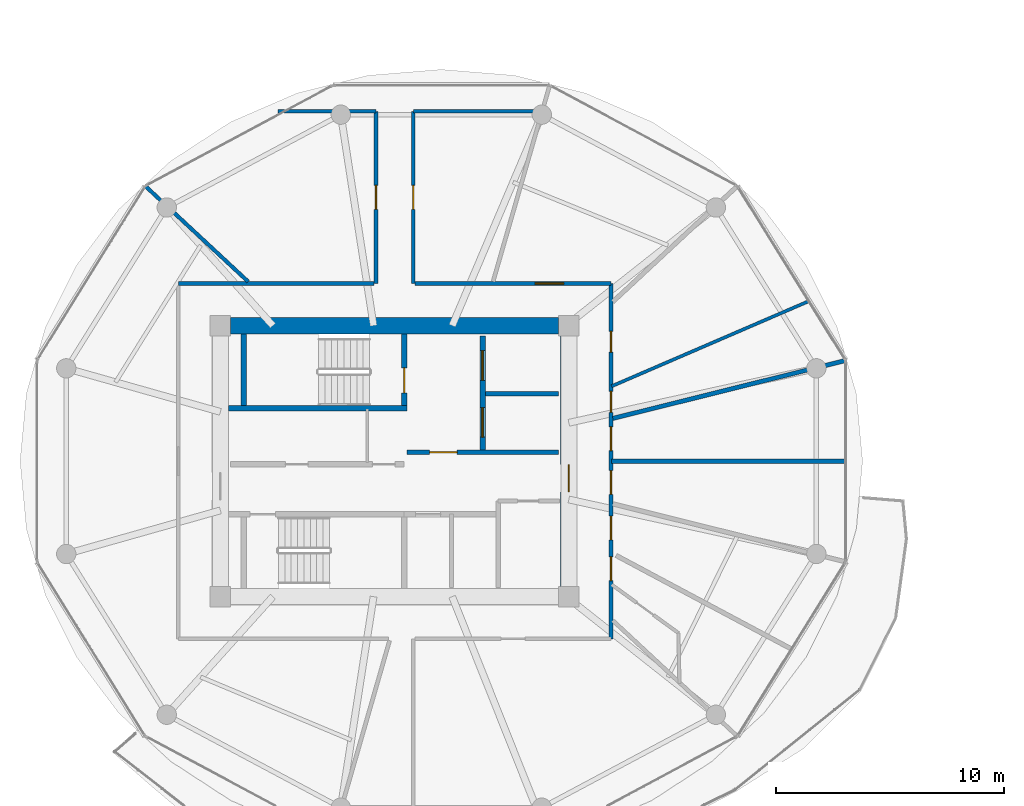
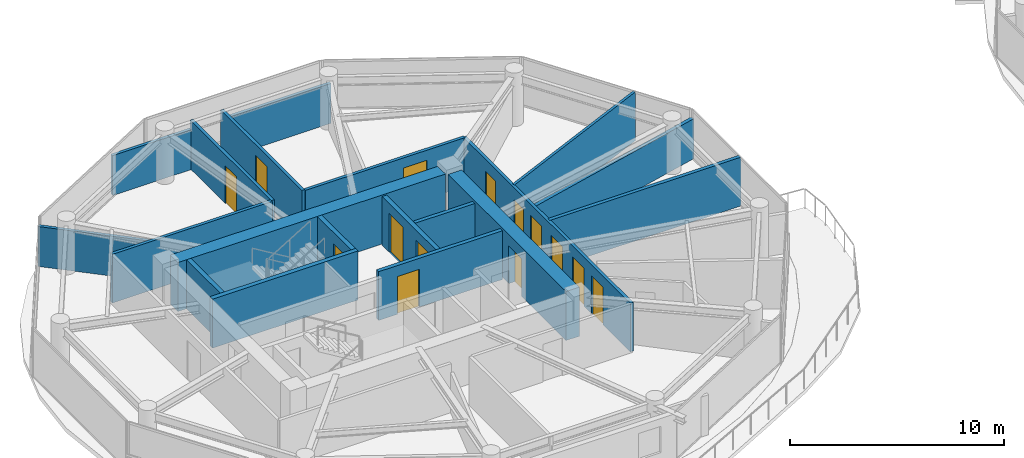
# One storey, part 14 of 24: 19 walls, 14 doors, 14 openings.
"""IFC4 building model written with IfcOpenShell, lengths in metres."""

from ifc_helpers import new_model, si_unit, direction, frame, frame_2d, origin, place, context, subcontext, project, spatial, rectangle, extrude, source, transform, mapped, material, layer, layer_set, type_object, type_shapes, element, fill, save


model = new_model("IFC4")

# Units and contexts
model_context = context("Model", 3, precision=1e-05, world=origin(), true_north=direction((0.0, 1.0)))
body_context = subcontext(model_context, "Body", "Model", "MODEL_VIEW")
ifc_project = project(units=[si_unit("LENGTHUNIT", "METRE"), si_unit("AREAUNIT", "SQUARE_METRE"), si_unit("VOLUMEUNIT", "CUBIC_METRE"), si_unit("PLANEANGLEUNIT", "RADIAN"), si_unit("MASSUNIT", "GRAM", prefix="KILO")], contexts=[model_context])

# Site, building, storey
site_placement = place(None, origin())
site = spatial("IfcSite", under=ifc_project, at=site_placement, CompositionType="ELEMENT")
building_placement = place(site_placement, origin())
building = spatial("IfcBuilding", under=site, at=building_placement, Name="Norrkilde Senior Care Towers", CompositionType="ELEMENT")
storey_placement = place(building_placement, frame((0.0, 0.0, 117.60009765625)))
storey = spatial("IfcBuildingStorey", under=building, at=storey_placement, Name="L36", CompositionType="ELEMENT", Elevation=117.60009765625)

# Wall
ifc_material_1 = material(Name="Concrete C60/75", Category="concrete")
ifc_layer_1 = layer(ifc_material_1, 0.719970703125)
ifc_layer_set_1 = layer_set([ifc_layer_1], Name="Concrete C60/75")
wall_type_1 = type_object("IfcWallType", Name="Core Shear Wall Z2 720", PredefinedType="SHEAR", material=ifc_layer_set_1)
shared_shape_1 = source(origin(), body_context, "Body", "SweptSolid", [
    extrude(rectangle(XDim=14.39990234375, YDim=0.719970703125, at=frame_2d((7.199951171875, 0.0))), origin(), (0.0, 0.0, 1.0), 2.789794921875),
])
wall_1_placement = place(storey_placement, frame((-35.199951171875, 5.949951171875, 0.0), z_axis=(0.0, 0.0, 1.0), x_axis=(1.0, 0.0, 0.0)))
element("IfcWall", 1, at=wall_1_placement, inside=storey, type_object=wall_type_1, Name="L36 Core W North Shear Wall", PredefinedType="SHEAR", context=body_context, shape_type="MappedRepresentation", body=[
    mapped(shared_shape_1, transform((0.0, 0.0, 0.0), x_axis=(1.0, 0.0, 0.0), y_axis=(0.0, 1.0, 0.0), z_axis=(0.0, 0.0, 1.0), scale=1.0)),
])

# Wall, opening, door
shared_shape_2 = source(origin(), body_context, "Body", "SweptSolid", [
    extrude(rectangle(XDim=11.0, YDim=0.719970703125, at=frame_2d((5.5, 0.0))), origin(), (0.0, 0.0, 1.0), 2.789794921875),
])
type_shapes(wall_type_1, [shared_shape_1, shared_shape_2])
wall_2_placement = place(storey_placement, frame((-20.35009765625, 5.5, 0.0), z_axis=(0.0, 0.0, 1.0), x_axis=(0.0, -1.0, 0.0)))
wall_2 = element("IfcWall", 2, at=wall_2_placement, inside=storey, type_object=wall_type_1, Name="L36 Core W East Shear Wall", PredefinedType="SHEAR", context=body_context, shape_type="MappedRepresentation", body=[
    mapped(shared_shape_2, transform((0.0, 0.0, 0.0), x_axis=(1.0, 0.0, 0.0), y_axis=(0.0, 1.0, 0.0), z_axis=(0.0, 0.0, 1.0), scale=1.0)),
])
opening_1_placement = place(wall_2_placement, frame((5.64990234375, 0.0, 0.0)))
opening_1 = element("IfcOpeningElement", 3, at=opening_1_placement, cuts=wall_2, Name="Opening D-04", PredefinedType="OPENING", context=body_context, shape_type="SweptSolid", body=[
    extrude(rectangle(XDim=1.199951171875, YDim=2.14990234375, at=frame_2d((0.60009765625, 1.074951171875))), frame((0.0, 0.369873046875, 0.0), z_axis=(0.0, -1.0, 0.0), x_axis=(1.0, 0.0, 0.0)), (0.0, 0.0, 1.0), 0.739990234375),
])
ifc_material_2 = material(Name="Galvanised Painted Steel", Category="steel")
door_type_1 = type_object("IfcDoorType", Name="Firefighting Lobby Fire Door 1200x2150", OperationType="NOTDEFINED", PredefinedType="DOOR", material=ifc_material_2)
shared_shape_3 = source(origin(), body_context, "Body", "SweptSolid", [
    extrude(rectangle(XDim=1.199951171875, YDim=2.14990234375, at=frame_2d((0.60009765625, 1.074951171875))), frame((0.0, 0.02490234375, 0.0), z_axis=(0.0, -1.0, 0.0), x_axis=(1.0, 0.0, 0.0)), (0.0, 0.0, 1.0), 0.050048828125),
])
type_shapes(door_type_1, [shared_shape_3])
door_1_placement = place(opening_1_placement, frame((1.199951171875, 0.0, 0.0), z_axis=(0.0, 0.0, 1.0), x_axis=(-1.0, 0.0, 0.0)))
door_1 = element("IfcDoor", 4, at=door_1_placement, inside=storey, type_object=door_type_1, Name="L36 Core W East Portal Door", OperationType="SINGLE_SWING_RIGHT", OverallHeight=2.14990234375, OverallWidth=1.199951171875, PredefinedType="DOOR", context=body_context, shape_type="MappedRepresentation", body=[
    mapped(shared_shape_3, transform((0.0, 0.0, 0.0), x_axis=(1.0, 0.0, 0.0), y_axis=(0.0, 1.0, 0.0), z_axis=(0.0, 0.0, 1.0), scale=1.0)),
])
fill(opening_1, door_1)

# Wall, openings, doors
ifc_material_3 = material(Name="Concrete C45/55", Category="concrete")
ifc_layer_2 = layer(ifc_material_3, 0.239990234375)
ifc_layer_set_2 = layer_set([ifc_layer_2], Name="Concrete C45/55")
wall_type_2 = type_object("IfcWallType", Name="Lift and Plant Rated Enclosure Partition 240", PredefinedType="PARTITIONING", material=ifc_layer_set_2)
shared_shape_4 = source(origin(), body_context, "Body", "SweptSolid", [
    extrude(rectangle(XDim=5.0, YDim=0.239990234375, at=frame_2d((2.5, 0.0))), origin(), (0.0, 0.0, 1.0), 2.77490234375),
])
type_shapes(wall_type_2, [shared_shape_4])
wall_3_placement = place(storey_placement, frame((-24.139892578125, 0.5, 0.0), z_axis=(0.0, 0.0, 1.0), x_axis=(0.0, 1.0, 0.0)))
wall_3 = element("IfcWall", 5, at=wall_3_placement, inside=storey, type_object=wall_type_2, Name="WL-INT-L36-W-FFLE", PredefinedType="PARTITIONING", context=body_context, shape_type="MappedRepresentation", body=[
    mapped(shared_shape_4, transform((0.0, 0.0, 0.0), x_axis=(1.0, 0.0, 0.0), y_axis=(0.0, 1.0, 0.0), z_axis=(0.0, 0.0, 1.0), scale=1.0)),
])
opening_2_placement = place(wall_3_placement, frame((3.050048828125, 0.0, 0.0)))
opening_2 = element("IfcOpeningElement", 6, at=opening_2_placement, cuts=wall_3, Name="Opening LD-02", PredefinedType="OPENING", context=body_context, shape_type="SweptSolid", body=[
    extrude(rectangle(XDim=1.300048828125, YDim=2.199951171875, at=frame_2d((0.64990234375, 1.10009765625))), frame((0.0, 0.1298828125, 0.0), z_axis=(0.0, -1.0, 0.0), x_axis=(1.0, 0.0, 0.0)), (0.0, 0.0, 1.0), 0.260009765625),
])
opening_3_placement = place(wall_3_placement, frame((0.550048828125, 0.0, 0.0)))
opening_3 = element("IfcOpeningElement", 7, at=opening_3_placement, cuts=wall_3, Name="Opening LD-02", PredefinedType="OPENING", context=body_context, shape_type="SweptSolid", body=[
    extrude(rectangle(XDim=1.300048828125, YDim=2.199951171875, at=frame_2d((0.64990234375, 1.10009765625))), frame((0.0, 0.1298828125, 0.0), z_axis=(0.0, -1.0, 0.0), x_axis=(1.0, 0.0, 0.0)), (0.0, 0.0, 1.0), 0.260009765625),
])
ifc_material_4 = material(Name="Stainless Steel", Category="steel")
door_type_2 = type_object("IfcDoorType", Name="Stretcher and FFL Landing Sliding Door 1300x2200", OperationType="NOTDEFINED", PredefinedType="DOOR", material=ifc_material_4)
shared_shape_5 = source(origin(), body_context, "Body", "SweptSolid", [
    extrude(rectangle(XDim=1.300048828125, YDim=2.199951171875, at=frame_2d((0.64990234375, 1.10009765625))), frame((0.0, 0.02490234375, 0.0), z_axis=(0.0, -1.0, 0.0), x_axis=(1.0, 0.0, 0.0)), (0.0, 0.0, 1.0), 0.050048828125),
])
type_shapes(door_type_2, [shared_shape_5])
door_2_placement = place(opening_2_placement, origin())
door_2 = element("IfcDoor", 8, at=door_2_placement, inside=storey, type_object=door_type_2, Name="L36 Firefighting Lift W1 Landing Door", OperationType="SLIDING_TO_LEFT", OverallHeight=2.199951171875, OverallWidth=1.300048828125, PredefinedType="DOOR", context=body_context, shape_type="MappedRepresentation", body=[
    mapped(shared_shape_5, transform((0.0, 0.0, 0.0), x_axis=(1.0, 0.0, 0.0), y_axis=(0.0, 1.0, 0.0), z_axis=(0.0, 0.0, 1.0), scale=1.0)),
])
fill(opening_2, door_2)
door_3_placement = place(opening_3_placement, origin())
door_3 = element("IfcDoor", 9, at=door_3_placement, inside=storey, type_object=door_type_2, Name="L36 Stretcher Lift W1 Landing Door", OperationType="SLIDING_TO_RIGHT", OverallHeight=2.199951171875, OverallWidth=1.300048828125, PredefinedType="DOOR", context=body_context, shape_type="MappedRepresentation", body=[
    mapped(shared_shape_5, transform((0.0, 0.0, 0.0), x_axis=(1.0, 0.0, 0.0), y_axis=(0.0, 1.0, 0.0), z_axis=(0.0, 0.0, 1.0), scale=1.0)),
])
fill(opening_3, door_3)

# Wall
ifc_layer_3 = layer(ifc_material_3, 0.199951171875)
ifc_layer_set_3 = layer_set([ifc_layer_3], Name="Concrete C45/55")
wall_type_3 = type_object("IfcWallType", Name="Shaft Division and Plant Partition 200", PredefinedType="PARTITIONING", material=ifc_layer_set_3)
shared_shape_6 = source(origin(), body_context, "Body", "SweptSolid", [
    extrude(rectangle(XDim=3.199951171875, YDim=0.199951171875, at=frame_2d((1.60009765625, 0.0))), origin(), (0.0, 0.0, 1.0), 2.77490234375),
])
type_shapes(wall_type_3, [shared_shape_6])
wall_4_placement = place(storey_placement, frame((-24.0, 2.949951171875, 0.0), z_axis=(0.0, 0.0, 1.0), x_axis=(1.0, 0.0, 0.0)))
element("IfcWall", 10, at=wall_4_placement, inside=storey, type_object=wall_type_3, Name="WL-INT-L36-W-FFLDIV", PredefinedType="PARTITIONING", context=body_context, shape_type="MappedRepresentation", body=[
    mapped(shared_shape_6, transform((0.0, 0.0, 0.0), x_axis=(1.0, 0.0, 0.0), y_axis=(0.0, 1.0, 0.0), z_axis=(0.0, 0.0, 1.0), scale=1.0)),
])

# Wall, opening, door
ifc_layer_4 = layer(ifc_material_3, 0.2099609375)
ifc_layer_set_4 = layer_set([ifc_layer_4], Name="Concrete C45/55")
wall_type_4 = type_object("IfcWallType", Name="Firefighting Lobby Wall 210", PredefinedType="PARTITIONING", material=ifc_layer_set_4)
shared_shape_7 = source(origin(), body_context, "Body", "SweptSolid", [
    extrude(rectangle(XDim=6.659912109375, YDim=0.2099609375, at=frame_2d((3.330078125, 0.0))), origin(), (0.0, 0.0, 1.0), 2.77490234375),
])
type_shapes(wall_type_4, [shared_shape_7])
wall_5_placement = place(storey_placement, frame((-27.4599609375, 0.389892578125, 0.0), z_axis=(0.0, 0.0, 1.0), x_axis=(1.0, 0.0, 0.0)))
wall_5 = element("IfcWall", 11, at=wall_5_placement, inside=storey, type_object=wall_type_4, Name="WL-INT-L36-W-FFLS", PredefinedType="PARTITIONING", context=body_context, shape_type="MappedRepresentation", body=[
    mapped(shared_shape_7, transform((0.0, 0.0, 0.0), x_axis=(1.0, 0.0, 0.0), y_axis=(0.0, 1.0, 0.0), z_axis=(0.0, 0.0, 1.0), scale=1.0)),
])
opening_4_placement = place(wall_5_placement, frame((1.0, 0.0, 0.0)))
opening_4 = element("IfcOpeningElement", 12, at=opening_4_placement, cuts=wall_5, Name="Opening D-04", PredefinedType="OPENING", context=body_context, shape_type="SweptSolid", body=[
    extrude(rectangle(XDim=1.199951171875, YDim=2.14990234375, at=frame_2d((0.60009765625, 1.074951171875))), frame((0.0, 0.114990234375, 0.0), z_axis=(0.0, -1.0, 0.0), x_axis=(1.0, 0.0, 0.0)), (0.0, 0.0, 1.0), 0.22998046875),
])
door_4_placement = place(opening_4_placement, frame((1.199951171875, 0.0, 0.0), z_axis=(0.0, 0.0, 1.0), x_axis=(-1.0, 0.0, 0.0)))
door_4 = element("IfcDoor", 13, at=door_4_placement, inside=storey, type_object=door_type_1, Name="L36 Firefighting Lobby W Door", OperationType="SINGLE_SWING_LEFT", OverallHeight=2.14990234375, OverallWidth=1.199951171875, PredefinedType="DOOR", context=body_context, shape_type="MappedRepresentation", body=[
    mapped(shared_shape_3, transform((0.0, 0.0, 0.0), x_axis=(1.0, 0.0, 0.0), y_axis=(0.0, 1.0, 0.0), z_axis=(0.0, 0.0, 1.0), scale=1.0)),
])
fill(opening_4, door_4)

# Wall, openings, doors
ifc_material_5 = material(Name="Gypsum Acoustic Board")
ifc_layer_5 = layer(ifc_material_5, 0.1650390625)
ifc_layer_set_5 = layer_set([ifc_layer_5], Name="Gypsum Acoustic Board")
wall_type_5 = type_object("IfcWallType", Name="Corridor Rated Partition 165", PredefinedType="PARTITIONING", material=ifc_layer_set_5)
shared_shape_8 = source(origin(), body_context, "Body", "SweptSolid", [
    extrude(rectangle(XDim=15.60009765625, YDim=0.1650390625, at=frame_2d((7.800048828125, 0.0))), origin(), (0.0, 0.0, 1.0), 2.77490234375),
])
wall_6_placement = place(storey_placement, frame((-18.5, 7.800048828125, 0.0), z_axis=(0.0, 0.0, 1.0), x_axis=(0.0, -1.0, 0.0)))
wall_6 = element("IfcWall", 14, at=wall_6_placement, inside=storey, type_object=wall_type_5, Name="WL-INT-L36-W-CRW-E-0", PredefinedType="PARTITIONING", context=body_context, shape_type="MappedRepresentation", body=[
    mapped(shared_shape_8, transform((0.0, 0.0, 0.0), x_axis=(1.0, 0.0, 0.0), y_axis=(0.0, 1.0, 0.0), z_axis=(0.0, 0.0, 1.0), scale=1.0)),
])
opening_5_placement = place(wall_6_placement, frame((12.001953125, 0.0, 0.0)))
opening_5 = element("IfcOpeningElement", 15, at=opening_5_placement, cuts=wall_6, Name="Opening D-06", PredefinedType="OPENING", context=body_context, shape_type="SweptSolid", body=[
    extrude(rectangle(XDim=1.050048828125, YDim=2.14990234375, at=frame_2d((0.52490234375, 1.074951171875))), frame((0.0, 0.092529296875, 0.0), z_axis=(0.0, -1.0, 0.0), x_axis=(1.0, 0.0, 0.0)), (0.0, 0.0, 1.0), 0.18505859375),
])
opening_6_placement = place(wall_6_placement, frame((10.210693359375, 0.0, 0.0)))
opening_6 = element("IfcOpeningElement", 16, at=opening_6_placement, cuts=wall_6, Name="Opening D-06", PredefinedType="OPENING", context=body_context, shape_type="SweptSolid", body=[
    extrude(rectangle(XDim=1.050048828125, YDim=2.14990234375, at=frame_2d((0.52490234375, 1.074951171875))), frame((0.0, 0.092529296875, 0.0), z_axis=(0.0, -1.0, 0.0), x_axis=(1.0, 0.0, 0.0)), (0.0, 0.0, 1.0), 0.18505859375),
])
opening_7_placement = place(wall_6_placement, frame((8.21240234375, 0.0, 0.0)))
opening_7 = element("IfcOpeningElement", 17, at=opening_7_placement, cuts=wall_6, Name="Opening D-06", PredefinedType="OPENING", context=body_context, shape_type="SweptSolid", body=[
    extrude(rectangle(XDim=1.050048828125, YDim=2.14990234375, at=frame_2d((0.52490234375, 1.074951171875))), frame((0.0, 0.092529296875, 0.0), z_axis=(0.0, -1.0, 0.0), x_axis=(1.0, 0.0, 0.0)), (0.0, 0.0, 1.0), 0.18505859375),
])
opening_8_placement = place(wall_6_placement, frame((6.290771484375, 0.0, 0.0)))
opening_8 = element("IfcOpeningElement", 18, at=opening_8_placement, cuts=wall_6, Name="Opening D-06", PredefinedType="OPENING", context=body_context, shape_type="SweptSolid", body=[
    extrude(rectangle(XDim=1.050048828125, YDim=2.14990234375, at=frame_2d((0.52490234375, 1.074951171875))), frame((0.0, 0.092529296875, 0.0), z_axis=(0.0, -1.0, 0.0), x_axis=(1.0, 0.0, 0.0)), (0.0, 0.0, 1.0), 0.18505859375),
])
opening_9_placement = place(wall_6_placement, frame((4.739013671875, 0.0, 0.0)))
opening_9 = element("IfcOpeningElement", 19, at=opening_9_placement, cuts=wall_6, Name="Opening D-08", PredefinedType="OPENING", context=body_context, shape_type="SweptSolid", body=[
    extrude(rectangle(XDim=0.919921875, YDim=2.10009765625, at=frame_2d((0.4599609375, 1.050048828125))), frame((0.0, 0.092529296875, 0.0), z_axis=(0.0, -1.0, 0.0), x_axis=(1.0, 0.0, 0.0)), (0.0, 0.0, 1.0), 0.18505859375),
])
opening_10_placement = place(wall_6_placement, frame((2.096435546875, 0.0, 0.0)))
opening_10 = element("IfcOpeningElement", 20, at=opening_10_placement, cuts=wall_6, Name="Opening D-08", PredefinedType="OPENING", context=body_context, shape_type="SweptSolid", body=[
    extrude(rectangle(XDim=0.919921875, YDim=2.10009765625, at=frame_2d((0.4599609375, 1.050048828125))), frame((0.0, 0.092529296875, 0.0), z_axis=(0.0, -1.0, 0.0), x_axis=(1.0, 0.0, 0.0)), (0.0, 0.0, 1.0), 0.18505859375),
])
ifc_material_6 = material(Name="Nordic Ash Timber", Category="wood")
door_type_3 = type_object("IfcDoorType", Name="Accessible Wet Room Door 920x2100", OperationType="NOTDEFINED", PredefinedType="DOOR", material=ifc_material_6)
shared_shape_9 = source(origin(), body_context, "Body", "SweptSolid", [
    extrude(rectangle(XDim=0.919921875, YDim=2.10009765625, at=frame_2d((0.4599609375, 1.050048828125))), frame((0.0, 0.02490234375, 0.0), z_axis=(0.0, -1.0, 0.0), x_axis=(1.0, 0.0, 0.0)), (0.0, 0.0, 1.0), 0.050048828125),
])
type_shapes(door_type_3, [shared_shape_9])
door_5_placement = place(opening_9_placement, frame((0.919921875, 0.0, 0.0), z_axis=(0.0, 0.0, 1.0), x_axis=(-1.0, 0.0, 0.0)))
door_5 = element("IfcDoor", 21, at=door_5_placement, inside=storey, type_object=door_type_3, Name="L36 Accessible Restroom Door", OperationType="SINGLE_SWING_LEFT", OverallHeight=2.10009765625, OverallWidth=0.919921875, PredefinedType="DOOR", context=body_context, shape_type="MappedRepresentation", body=[
    mapped(shared_shape_9, transform((0.0, 0.0, 0.0), x_axis=(1.0, 0.0, 0.0), y_axis=(0.0, 1.0, 0.0), z_axis=(0.0, 0.0, 1.0), scale=1.0)),
])
fill(opening_9, door_5)
door_6_placement = place(opening_10_placement, frame((0.919921875, 0.0, 0.0), z_axis=(0.0, 0.0, 1.0), x_axis=(-1.0, 0.0, 0.0)))
door_6 = element("IfcDoor", 22, at=door_6_placement, inside=storey, type_object=door_type_3, Name="L36 Public Restroom Door", OperationType="SINGLE_SWING_RIGHT", OverallHeight=2.10009765625, OverallWidth=0.919921875, PredefinedType="DOOR", context=body_context, shape_type="MappedRepresentation", body=[
    mapped(shared_shape_9, transform((0.0, 0.0, 0.0), x_axis=(1.0, 0.0, 0.0), y_axis=(0.0, 1.0, 0.0), z_axis=(0.0, 0.0, 1.0), scale=1.0)),
])
fill(opening_10, door_6)
door_type_4 = type_object("IfcDoorType", Name="Apartment Entrance Fire Door 1050x2150", OperationType="NOTDEFINED", PredefinedType="DOOR", material=ifc_material_6)
shared_shape_10 = source(origin(), body_context, "Body", "SweptSolid", [
    extrude(rectangle(XDim=1.050048828125, YDim=2.14990234375, at=frame_2d((0.52490234375, 1.074951171875))), frame((0.0, 0.02490234375, 0.0), z_axis=(0.0, -1.0, 0.0), x_axis=(1.0, 0.0, 0.0)), (0.0, 0.0, 1.0), 0.050048828125),
])
type_shapes(door_type_4, [shared_shape_10])
door_7_placement = place(opening_5_placement, frame((1.050048828125, 0.0, 0.0), z_axis=(0.0, 0.0, 1.0), x_axis=(-1.0, 0.0, 0.0)))
door_7 = element("IfcDoor", 23, at=door_7_placement, inside=storey, type_object=door_type_4, Name="L36 Care Suite 3610A Entrance Door", OperationType="SINGLE_SWING_RIGHT", OverallHeight=2.14990234375, OverallWidth=1.050048828125, PredefinedType="DOOR", context=body_context, shape_type="MappedRepresentation", body=[
    mapped(shared_shape_10, transform((0.0, 0.0, 0.0), x_axis=(1.0, 0.0, 0.0), y_axis=(0.0, 1.0, 0.0), z_axis=(0.0, 0.0, 1.0), scale=1.0)),
])
fill(opening_5, door_7)
door_8_placement = place(opening_6_placement, frame((1.050048828125, 0.0, 0.0), z_axis=(0.0, 0.0, 1.0), x_axis=(-1.0, 0.0, 0.0)))
door_8 = element("IfcDoor", 24, at=door_8_placement, inside=storey, type_object=door_type_4, Name="L36 Therapy Day Lounge 10 Door", OperationType="SINGLE_SWING_RIGHT", OverallHeight=2.14990234375, OverallWidth=1.050048828125, PredefinedType="DOOR", context=body_context, shape_type="MappedRepresentation", body=[
    mapped(shared_shape_10, transform((0.0, 0.0, 0.0), x_axis=(1.0, 0.0, 0.0), y_axis=(0.0, 1.0, 0.0), z_axis=(0.0, 0.0, 1.0), scale=1.0)),
])
fill(opening_6, door_8)
door_9_placement = place(opening_7_placement, frame((1.050048828125, 0.0, 0.0), z_axis=(0.0, 0.0, 1.0), x_axis=(-1.0, 0.0, 0.0)))
door_9 = element("IfcDoor", 25, at=door_9_placement, inside=storey, type_object=door_type_4, Name="L36 Physiotherapy Clinic 11A Door", OperationType="SINGLE_SWING_RIGHT", OverallHeight=2.14990234375, OverallWidth=1.050048828125, PredefinedType="DOOR", context=body_context, shape_type="MappedRepresentation", body=[
    mapped(shared_shape_10, transform((0.0, 0.0, 0.0), x_axis=(1.0, 0.0, 0.0), y_axis=(0.0, 1.0, 0.0), z_axis=(0.0, 0.0, 1.0), scale=1.0)),
])
fill(opening_7, door_9)
door_10_placement = place(opening_8_placement, frame((1.050048828125, 0.0, 0.0), z_axis=(0.0, 0.0, 1.0), x_axis=(-1.0, 0.0, 0.0)))
door_10 = element("IfcDoor", 26, at=door_10_placement, inside=storey, type_object=door_type_4, Name="L36 Assessment Clinic 11B Door", OperationType="SINGLE_SWING_LEFT", OverallHeight=2.14990234375, OverallWidth=1.050048828125, PredefinedType="DOOR", context=body_context, shape_type="MappedRepresentation", body=[
    mapped(shared_shape_10, transform((0.0, 0.0, 0.0), x_axis=(1.0, 0.0, 0.0), y_axis=(0.0, 1.0, 0.0), z_axis=(0.0, 0.0, 1.0), scale=1.0)),
])
fill(opening_8, door_10)

# Wall
shared_shape_11 = source(origin(), body_context, "Body", "SweptSolid", [
    extrude(rectangle(XDim=8.60009765625, YDim=0.1650390625, at=frame_2d((4.300048828125, 0.0))), origin(), (0.0, 0.0, 1.0), 2.77490234375),
])
wall_7_placement = place(storey_placement, frame((-37.5, 7.800048828125, 0.0), z_axis=(0.0, 0.0, 1.0), x_axis=(1.0, 0.0, 0.0)))
element("IfcWall", 27, at=wall_7_placement, inside=storey, type_object=wall_type_5, Name="WL-INT-L36-W-CRW-N-0", PredefinedType="PARTITIONING", context=body_context, shape_type="MappedRepresentation", body=[
    mapped(shared_shape_11, transform((0.0, 0.0, 0.0), x_axis=(1.0, 0.0, 0.0), y_axis=(0.0, 1.0, 0.0), z_axis=(0.0, 0.0, 1.0), scale=1.0)),
])

# Wall, opening, door
wall_8_placement = place(storey_placement, frame((-27.10009765625, 7.800048828125, 0.0), z_axis=(0.0, 0.0, 1.0), x_axis=(1.0, 0.0, 0.0)))
wall_8 = element("IfcWall", 28, at=wall_8_placement, inside=storey, type_object=wall_type_5, Name="WL-INT-L36-W-CRW-N-1", PredefinedType="PARTITIONING", context=body_context, shape_type="MappedRepresentation", body=[
    mapped(shared_shape_11, transform((0.0, 0.0, 0.0), x_axis=(1.0, 0.0, 0.0), y_axis=(0.0, 1.0, 0.0), z_axis=(0.0, 0.0, 1.0), scale=1.0)),
])
opening_11_placement = place(wall_8_placement, frame((5.27490234375, 0.0, 0.0)))
opening_11 = element("IfcOpeningElement", 29, at=opening_11_placement, cuts=wall_8, Name="Opening D-05", PredefinedType="OPENING", context=body_context, shape_type="SweptSolid", body=[
    extrude(rectangle(XDim=1.25, YDim=2.199951171875, at=frame_2d((0.625, 1.10009765625))), frame((0.0, 0.092529296875, 0.0), z_axis=(0.0, -1.0, 0.0), x_axis=(1.0, 0.0, 0.0)), (0.0, 0.0, 1.0), 0.18505859375),
])
door_type_5 = type_object("IfcDoorType", Name="Care Bedroom Bariatric Door 1250x2200", OperationType="NOTDEFINED", PredefinedType="DOOR", material=ifc_material_6)
shared_shape_12 = source(origin(), body_context, "Body", "SweptSolid", [
    extrude(rectangle(XDim=1.25, YDim=2.199951171875, at=frame_2d((0.625, 1.10009765625))), frame((0.0, 0.02490234375, 0.0), z_axis=(0.0, -1.0, 0.0), x_axis=(1.0, 0.0, 0.0)), (0.0, 0.0, 1.0), 0.050048828125),
])
type_shapes(door_type_5, [shared_shape_12])
door_11_placement = place(opening_11_placement, frame((1.25, 0.0, 0.0), z_axis=(0.0, 0.0, 1.0), x_axis=(-1.0, 0.0, 0.0)))
door_11 = element("IfcDoor", 30, at=door_11_placement, inside=storey, type_object=door_type_5, Name="L36 Household Communal Dining Salon Door", OperationType="SINGLE_SWING_RIGHT", OverallHeight=2.199951171875, OverallWidth=1.25, PredefinedType="DOOR", context=body_context, shape_type="MappedRepresentation", body=[
    mapped(shared_shape_12, transform((0.0, 0.0, 0.0), x_axis=(1.0, 0.0, 0.0), y_axis=(0.0, 1.0, 0.0), z_axis=(0.0, 0.0, 1.0), scale=1.0)),
])
fill(opening_11, door_11)

# Wall
shared_shape_13 = source(origin(), body_context, "Body", "SweptSolid", [
    extrude(rectangle(XDim=6.186767578125, YDim=0.1650390625, at=frame_2d((3.09326171875, 0.0))), origin(), (0.0, 0.0, 1.0), 2.27490234375),
])
wall_9_placement = place(storey_placement, frame((-34.428955078125, 7.8798828125, 0.0), z_axis=(0.0, 0.0, 1.0), x_axis=(-0.732501077882, 0.680765870841, 0.0)))
element("IfcWall", 31, at=wall_9_placement, inside=storey, type_object=wall_type_5, Name="WL-INT-L36-W-DEM-04-0", PredefinedType="PARTITIONING", context=body_context, shape_type="MappedRepresentation", body=[
    mapped(shared_shape_13, transform((0.0, 0.0, 0.0), x_axis=(1.0, 0.0, 0.0), y_axis=(0.0, 1.0, 0.0), z_axis=(0.0, 0.0, 1.0), scale=1.0)),
])

# Wall, opening, door
shared_shape_14 = source(origin(), body_context, "Body", "SweptSolid", [
    extrude(rectangle(XDim=7.56005859375, YDim=0.1650390625, at=frame_2d((3.780029296875, 0.0))), origin(), (0.0, 0.0, 1.0), 2.77490234375),
])
wall_10_placement = place(storey_placement, frame((-28.820068359375, 7.800048828125, 0.0), z_axis=(0.0, 0.0, 1.0), x_axis=(0.0, 1.0, 0.0)))
wall_10 = element("IfcWall", 32, at=wall_10_placement, inside=storey, type_object=wall_type_5, Name="WL-INT-L36-W-PKW-NWL", PredefinedType="PARTITIONING", context=body_context, shape_type="MappedRepresentation", body=[
    mapped(shared_shape_14, transform((0.0, 0.0, 0.0), x_axis=(1.0, 0.0, 0.0), y_axis=(0.0, 1.0, 0.0), z_axis=(0.0, 0.0, 1.0), scale=1.0)),
])
opening_12_placement = place(wall_10_placement, frame((3.2548828125, 0.0, 0.0)))
opening_12 = element("IfcOpeningElement", 33, at=opening_12_placement, cuts=wall_10, Name="Opening D-06", PredefinedType="OPENING", context=body_context, shape_type="SweptSolid", body=[
    extrude(rectangle(XDim=1.050048828125, YDim=2.14990234375, at=frame_2d((0.52490234375, 1.074951171875))), frame((0.0, 0.092529296875, 0.0), z_axis=(0.0, -1.0, 0.0), x_axis=(1.0, 0.0, 0.0)), (0.0, 0.0, 1.0), 0.18505859375),
])
door_12_placement = place(opening_12_placement, frame((1.050048828125, 0.0, 0.0), z_axis=(0.0, 0.0, 1.0), x_axis=(-1.0, 0.0, 0.0)))
door_12 = element("IfcDoor", 34, at=door_12_placement, inside=storey, type_object=door_type_4, Name="L36 Reading Lounge NWL Door", OperationType="SINGLE_SWING_RIGHT", OverallHeight=2.14990234375, OverallWidth=1.050048828125, PredefinedType="DOOR", context=body_context, shape_type="MappedRepresentation", body=[
    mapped(shared_shape_10, transform((0.0, 0.0, 0.0), x_axis=(1.0, 0.0, 0.0), y_axis=(0.0, 1.0, 0.0), z_axis=(0.0, 0.0, 1.0), scale=1.0)),
])
fill(opening_12, door_12)

wall_11_placement = place(storey_placement, frame((-27.179931640625, 7.800048828125, 0.0), z_axis=(0.0, 0.0, 1.0), x_axis=(0.0, 1.0, 0.0)))
wall_11 = element("IfcWall", 35, at=wall_11_placement, inside=storey, type_object=wall_type_5, Name="WL-INT-L36-W-PKW-NEL", PredefinedType="PARTITIONING", context=body_context, shape_type="MappedRepresentation", body=[
    mapped(shared_shape_14, transform((0.0, 0.0, 0.0), x_axis=(1.0, 0.0, 0.0), y_axis=(0.0, 1.0, 0.0), z_axis=(0.0, 0.0, 1.0), scale=1.0)),
])
opening_13_placement = place(wall_11_placement, frame((3.2548828125, 0.0, 0.0)))
opening_13 = element("IfcOpeningElement", 36, at=opening_13_placement, cuts=wall_11, Name="Opening D-06", PredefinedType="OPENING", context=body_context, shape_type="SweptSolid", body=[
    extrude(rectangle(XDim=1.050048828125, YDim=2.14990234375, at=frame_2d((0.52490234375, 1.074951171875))), frame((0.0, 0.092529296875, 0.0), z_axis=(0.0, -1.0, 0.0), x_axis=(1.0, 0.0, 0.0)), (0.0, 0.0, 1.0), 0.18505859375),
])
door_13_placement = place(opening_13_placement, frame((1.050048828125, 0.0, 0.0), z_axis=(0.0, 0.0, 1.0), x_axis=(-1.0, 0.0, 0.0)))
door_13 = element("IfcDoor", 37, at=door_13_placement, inside=storey, type_object=door_type_4, Name="L36 Reading Lounge NEL Door", OperationType="SINGLE_SWING_RIGHT", OverallHeight=2.14990234375, OverallWidth=1.050048828125, PredefinedType="DOOR", context=body_context, shape_type="MappedRepresentation", body=[
    mapped(shared_shape_10, transform((0.0, 0.0, 0.0), x_axis=(1.0, 0.0, 0.0), y_axis=(0.0, 1.0, 0.0), z_axis=(0.0, 0.0, 1.0), scale=1.0)),
])
fill(opening_13, door_13)

# Walls
shared_shape_15 = source(origin(), body_context, "Body", "SweptSolid", [
    extrude(rectangle(XDim=4.306884765625, YDim=0.1650390625, at=frame_2d((2.1533203125, 0.0))), origin(), (0.0, 0.0, 1.0), 2.27490234375),
])
wall_12_placement = place(storey_placement, frame((-33.126953125, 15.360107421875, 0.0), z_axis=(0.0, 0.0, 1.0), x_axis=(1.0, 0.0, 0.0)))
element("IfcWall", 38, at=wall_12_placement, inside=storey, type_object=wall_type_5, Name="WL-INT-L36-W-PKH-NWL-0", PredefinedType="PARTITIONING", context=body_context, shape_type="MappedRepresentation", body=[
    mapped(shared_shape_15, transform((0.0, 0.0, 0.0), x_axis=(1.0, 0.0, 0.0), y_axis=(0.0, 1.0, 0.0), z_axis=(0.0, 0.0, 1.0), scale=1.0)),
])
shared_shape_16 = source(origin(), body_context, "Body", "SweptSolid", [
    extrude(rectangle(XDim=5.81396484375, YDim=0.1650390625, at=frame_2d((2.906982421875, 0.0))), origin(), (0.0, 0.0, 1.0), 2.27490234375),
])
type_shapes(wall_type_5, [shared_shape_8, shared_shape_11, shared_shape_13, shared_shape_14, shared_shape_15, shared_shape_16])
wall_13_placement = place(storey_placement, frame((-27.179931640625, 15.360107421875, 0.0), z_axis=(0.0, 0.0, 1.0), x_axis=(1.0, 0.0, 0.0)))
element("IfcWall", 39, at=wall_13_placement, inside=storey, type_object=wall_type_5, Name="WL-INT-L36-W-PKH-NEL-0", PredefinedType="PARTITIONING", context=body_context, shape_type="MappedRepresentation", body=[
    mapped(shared_shape_16, transform((0.0, 0.0, 0.0), x_axis=(1.0, 0.0, 0.0), y_axis=(0.0, 1.0, 0.0), z_axis=(0.0, 0.0, 1.0), scale=1.0)),
])
ifc_layer_6 = layer(ifc_material_5, 0.18994140625)
ifc_layer_set_6 = layer_set([ifc_layer_6], Name="Gypsum Acoustic Board")
wall_type_6 = type_object("IfcWallType", Name="Unit Demising Acoustic Wall 190", PredefinedType="PARTITIONING", material=ifc_layer_set_6)
shared_shape_17 = source(origin(), body_context, "Body", "SweptSolid", [
    extrude(rectangle(XDim=10.5556640625, YDim=0.18994140625, at=frame_2d((5.27783203125, 0.0))), origin(), (0.0, 0.0, 1.0), 2.27490234375),
])
wall_14_placement = place(storey_placement, frame((-18.419921875, 1.875, 0.0), z_axis=(0.0, 0.0, 1.0), x_axis=(0.970363857851, 0.241648470667, 0.0)))
element("IfcWall", 40, at=wall_14_placement, inside=storey, type_object=wall_type_6, Name="WL-INT-L36-W-DEM-00-0", PredefinedType="PARTITIONING", context=body_context, shape_type="MappedRepresentation", body=[
    mapped(shared_shape_17, transform((0.0, 0.0, 0.0), x_axis=(1.0, 0.0, 0.0), y_axis=(0.0, 1.0, 0.0), z_axis=(0.0, 0.0, 1.0), scale=1.0)),
])
ifc_layer_7 = layer(ifc_material_3, 0.239990234375)
ifc_layer_set_7 = layer_set([ifc_layer_7], Name="Concrete C45/55")
wall_type_7 = type_object("IfcWallType", Name="Shaft and Stair Enclosure Wall 240", PredefinedType="PARTITIONING", material=ifc_layer_set_7)
shared_shape_18 = source(origin(), body_context, "Body", "SweptSolid", [
    extrude(rectangle(XDim=7.830078125, YDim=0.239990234375, at=frame_2d((3.9150390625, 0.0))), origin(), (0.0, 0.0, 1.0), 2.789794921875),
])
wall_15_placement = place(storey_placement, frame((-35.2900390625, 2.330078125, 0.0), z_axis=(0.0, 0.0, 1.0), x_axis=(1.0, 0.0, 0.0)))
element("IfcWall", 41, at=wall_15_placement, inside=storey, type_object=wall_type_7, Name="WL-INT-L36-W-ST1S", PredefinedType="PARTITIONING", context=body_context, shape_type="MappedRepresentation", body=[
    mapped(shared_shape_18, transform((0.0, 0.0, 0.0), x_axis=(1.0, 0.0, 0.0), y_axis=(0.0, 1.0, 0.0), z_axis=(0.0, 0.0, 1.0), scale=1.0)),
])
shared_shape_19 = source(origin(), body_context, "Body", "SweptSolid", [
    extrude(rectangle(XDim=3.14013671875, YDim=0.239990234375, at=frame_2d((1.570068359375, 0.0))), origin(), (0.0, 0.0, 1.0), 2.789794921875),
])
type_shapes(wall_type_7, [shared_shape_18, shared_shape_19])
wall_16_placement = place(storey_placement, frame((-34.6201171875, 2.449951171875, 0.0), z_axis=(0.0, 0.0, 1.0), x_axis=(0.0, 1.0, 0.0)))
element("IfcWall", 42, at=wall_16_placement, inside=storey, type_object=wall_type_7, Name="WL-INT-L36-W-ST1W", PredefinedType="PARTITIONING", context=body_context, shape_type="MappedRepresentation", body=[
    mapped(shared_shape_19, transform((0.0, 0.0, 0.0), x_axis=(1.0, 0.0, 0.0), y_axis=(0.0, 1.0, 0.0), z_axis=(0.0, 0.0, 1.0), scale=1.0)),
])

# Wall, opening, door
wall_17_placement = place(storey_placement, frame((-27.580078125, 2.449951171875, 0.0), z_axis=(0.0, 0.0, 1.0), x_axis=(0.0, 1.0, 0.0)))
wall_17 = element("IfcWall", 43, at=wall_17_placement, inside=storey, type_object=wall_type_7, Name="WL-INT-L36-W-ST1E", PredefinedType="PARTITIONING", context=body_context, shape_type="MappedRepresentation", body=[
    mapped(shared_shape_19, transform((0.0, 0.0, 0.0), x_axis=(1.0, 0.0, 0.0), y_axis=(0.0, 1.0, 0.0), z_axis=(0.0, 0.0, 1.0), scale=1.0)),
])
opening_14_placement = place(wall_17_placement, frame((0.550048828125, 0.0, 0.0)))
opening_14 = element("IfcOpeningElement", 44, at=opening_14_placement, cuts=wall_17, Name="Opening D-03", PredefinedType="OPENING", context=body_context, shape_type="SweptSolid", body=[
    extrude(rectangle(XDim=1.10009765625, YDim=2.14990234375, at=frame_2d((0.550048828125, 1.074951171875))), frame((0.0, 0.1298828125, 0.0), z_axis=(0.0, -1.0, 0.0), x_axis=(1.0, 0.0, 0.0)), (0.0, 0.0, 1.0), 0.260009765625),
])
door_type_6 = type_object("IfcDoorType", Name="Stairwell Protected Fire Door 1100x2150", OperationType="NOTDEFINED", PredefinedType="DOOR", material=ifc_material_2)
shared_shape_20 = source(origin(), body_context, "Body", "SweptSolid", [
    extrude(rectangle(XDim=1.10009765625, YDim=2.14990234375, at=frame_2d((0.550048828125, 1.074951171875))), frame((0.0, 0.02490234375, 0.0), z_axis=(0.0, -1.0, 0.0), x_axis=(1.0, 0.0, 0.0)), (0.0, 0.0, 1.0), 0.050048828125),
])
type_shapes(door_type_6, [shared_shape_20])
door_14_placement = place(opening_14_placement, origin())
door_14 = element("IfcDoor", 45, at=door_14_placement, inside=storey, type_object=door_type_6, Name="L36 Stair W1 Fire Door", OperationType="SINGLE_SWING_LEFT", OverallHeight=2.14990234375, OverallWidth=1.10009765625, PredefinedType="DOOR", context=body_context, shape_type="MappedRepresentation", body=[
    mapped(shared_shape_20, transform((0.0, 0.0, 0.0), x_axis=(1.0, 0.0, 0.0), y_axis=(0.0, 1.0, 0.0), z_axis=(0.0, 0.0, 1.0), scale=1.0)),
])
fill(opening_14, door_14)

# Walls
ifc_layer_8 = layer(ifc_material_5, 0.139892578125)
ifc_layer_set_8 = layer_set([ifc_layer_8], Name="Gypsum Acoustic Board")
wall_type_8 = type_object("IfcWallType", Name="En-suite Wet Room Wall 140", PredefinedType="PARTITIONING", material=ifc_layer_set_8)
shared_shape_21 = source(origin(), body_context, "Body", "SweptSolid", [
    extrude(rectangle(XDim=9.447021484375, YDim=0.139892578125, at=frame_2d((4.7236328125, 0.0))), origin(), (0.0, 0.0, 1.0), 2.77490234375),
])
type_shapes(wall_type_8, [shared_shape_21])
wall_18_placement = place(storey_placement, frame((-18.469970703125, 3.289306640625, 0.0), z_axis=(0.0, 0.0, 1.0), x_axis=(0.918162367414, 0.396204324894, 0.0)))
element("IfcWall", 46, at=wall_18_placement, inside=storey, type_object=wall_type_8, Name="WL-INT-L36-W-MID-00", PredefinedType="PARTITIONING", context=body_context, shape_type="MappedRepresentation", body=[
    mapped(shared_shape_21, transform((0.0, 0.0, 0.0), x_axis=(1.0, 0.0, 0.0), y_axis=(0.0, 1.0, 0.0), z_axis=(0.0, 0.0, 1.0), scale=1.0)),
])
shared_shape_22 = source(origin(), body_context, "Body", "SweptSolid", [
    extrude(rectangle(XDim=10.29296875, YDim=0.18994140625, at=frame_2d((5.146484375, 0.0))), origin(), (0.0, 0.0, 1.0), 2.77490234375),
])
type_shapes(wall_type_6, [shared_shape_17, shared_shape_22])
wall_19_placement = place(storey_placement, frame((-18.469970703125, 0.0, 0.0), z_axis=(0.0, 0.0, 1.0), x_axis=(1.0, 0.0, 0.0)))
element("IfcWall", 47, at=wall_19_placement, inside=storey, type_object=wall_type_6, Name="WL-INT-L36-W-MID-11", PredefinedType="PARTITIONING", context=body_context, shape_type="MappedRepresentation", body=[
    mapped(shared_shape_22, transform((0.0, 0.0, 0.0), x_axis=(1.0, 0.0, 0.0), y_axis=(0.0, 1.0, 0.0), z_axis=(0.0, 0.0, 1.0), scale=1.0)),
])

save(model, "model.ifc")
